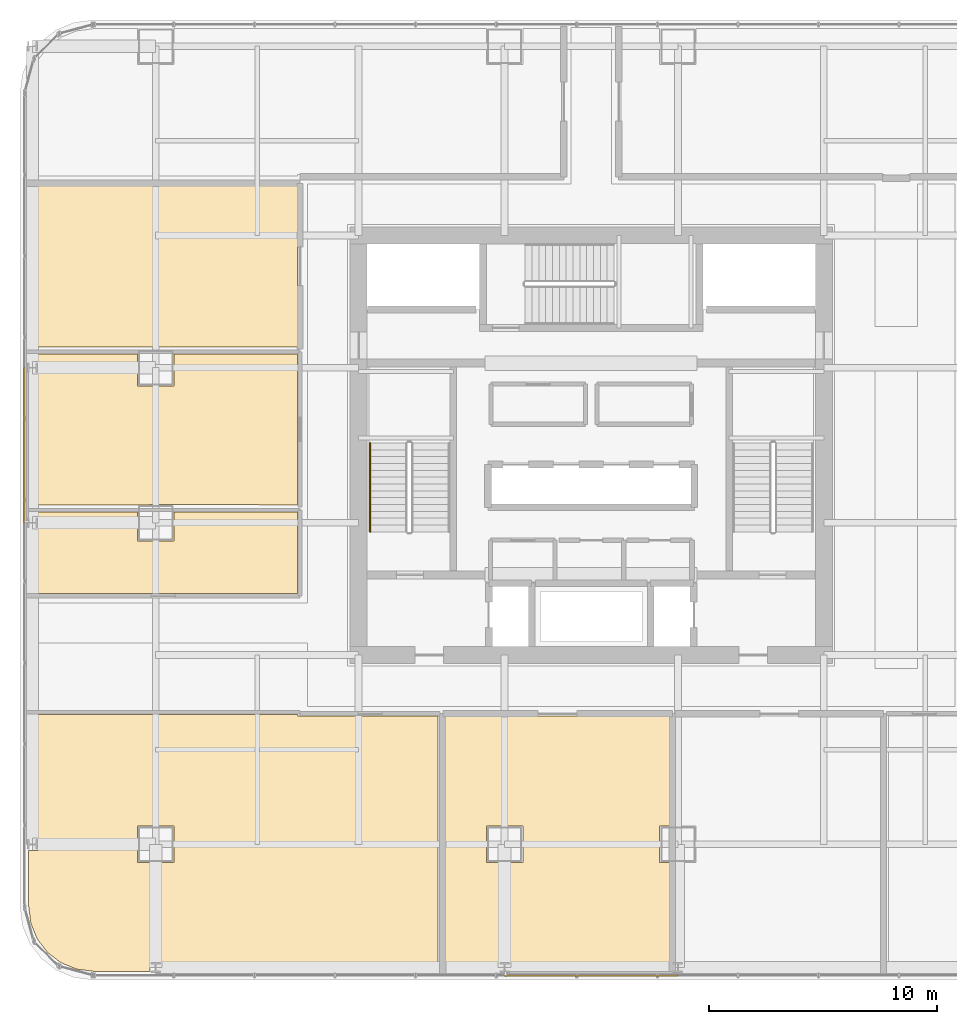
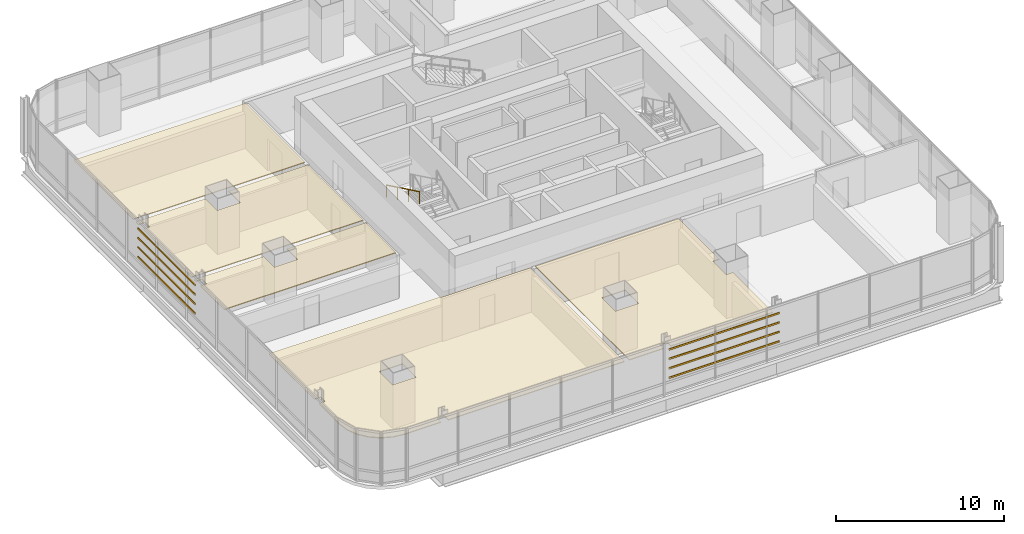
# One storey, part 32 of 36: 8 shading devices, 5 coverings, 1 railing.
"""IFC4 building model written with IfcOpenShell, lengths in metres."""

from ifc_helpers import new_model, si_unit, direction, frame, origin, origin_2d, place, context, subcontext, project, spatial, polyline, hollow_rectangle, circle, outline, extrude, material, layer, layer_set, material_profile, profile_set, type_object, element, save


model = new_model("IFC4")

# Units and contexts
model_context = context("Model", 3, precision=1e-05, world=origin(), true_north=direction((0.0, 1.0)))
body_context = subcontext(model_context, "Body", "Model", "MODEL_VIEW")
ifc_project = project(units=[si_unit("LENGTHUNIT", "METRE"), si_unit("AREAUNIT", "SQUARE_METRE"), si_unit("VOLUMEUNIT", "CUBIC_METRE"), si_unit("PLANEANGLEUNIT", "RADIAN"), si_unit("MASSUNIT", "GRAM", prefix="KILO")], contexts=[model_context])

# Site, building, storey
site_placement = place(None, origin())
site = spatial("IfcSite", under=ifc_project, at=site_placement, CompositionType="ELEMENT")
building_placement = place(site_placement, origin())
building = spatial("IfcBuilding", under=site, at=building_placement, Name="Punatoya Terracotta Tower", CompositionType="ELEMENT")
storey_placement = place(building_placement, frame((0.0, 0.0, 48.449951171875)))
storey = spatial("IfcBuildingStorey", under=building, at=storey_placement, Name="L10", CompositionType="ELEMENT", Elevation=48.449951171875)

# Coverings
ifc_material_1 = material(Name="Acoustic Mineral Fibre Ceiling")
ifc_layer = layer(ifc_material_1, 0.06005859375)
ifc_layer_set = layer_set([ifc_layer], Name="Acoustic Mineral Fibre Ceiling")
covering_type = type_object("IfcCoveringType", Name="COV-CEIL-60", PredefinedType="CEILING", material=ifc_layer_set)
covering_1_placement = place(storey_placement, frame((0.0, 0.0, 3.199951171875)))
element("IfcCovering", 1, at=covering_1_placement, inside=storey, type_object=covering_type, Name="L10 Open-Plan Client Dining Salon Acoustic Ceiling", PredefinedType="CEILING", context=body_context, shape_type="SweptSolid", body=[
    extrude(outline(polyline([(-4.05810546875, -22.626953125), (-3.5419921875, -22.626953125), (-3.5419921875, -23.070068359375), (3.458984375, -23.070068359375), (3.458984375, -18.300048828125), (3.0, -18.300048828125), (3.0, -16.699951171875), (3.458984375, -16.699951171875), (3.458984375, -11.8701171875), (-6.406982421875, -11.8701171875), (-6.406982421875, -23.070068359375), (-4.05810546875, -23.070068359375), (-4.05810546875, -22.626953125)]), holes=[polyline([(-4.60009765625, -16.699951171875), (-3.0, -16.699951171875), (-3.0, -18.300048828125), (-4.60009765625, -18.300048828125), (-4.60009765625, -16.699951171875)])]), origin(), (0.0, 0.0, 1.0), 0.06005859375),
])
covering_2_placement = place(storey_placement, frame((0.0, 0.0, 3.199951171875)))
element("IfcCovering", 2, at=covering_2_placement, inside=storey, type_object=covering_type, Name="L10 Catering Tea Pantry Acoustic Ceiling", PredefinedType="CEILING", context=body_context, shape_type="SweptSolid", body=[
    extrude(outline(polyline([(-18.842041015625, -23.070068359375), (-6.72705078125, -23.070068359375), (-6.72705078125, -11.8701171875), (-12.8701171875, -11.8701171875), (-12.8701171875, -11.81005859375), (-24.669921875, -11.81005859375), (-24.669921875, -17.22705078125), (-24.241943359375, -17.22705078125), (-24.241943359375, -17.77294921875), (-24.669921875, -17.77294921875), (-24.669921875, -20.22509765625), (-24.57080078125, -20.97900390625), (-24.289306640625, -21.658203125), (-23.841796875, -22.24169921875), (-23.25830078125, -22.689453125), (-22.5791015625, -22.970703125), (-21.8251953125, -23.070068359375), (-19.35791015625, -23.070068359375), (-19.35791015625, -22.626953125), (-18.842041015625, -22.626953125), (-18.842041015625, -23.070068359375)]), holes=[polyline([(-19.89990234375, -18.300048828125), (-19.89990234375, -16.699951171875), (-18.300048828125, -16.699951171875), (-18.300048828125, -18.300048828125), (-19.89990234375, -18.300048828125)])]), origin(), (0.0, 0.0, 1.0), 0.06005859375),
])
covering_3_placement = place(storey_placement, frame((0.0, 0.0, 3.199951171875)))
element("IfcCovering", 3, at=covering_3_placement, inside=storey, type_object=covering_type, Name="L10 Open-Plan Wellness Relaxation Lounge Acoustic Ceiling", PredefinedType="CEILING", context=body_context, shape_type="SweptSolid", body=[
    extrude(outline(polyline([(-12.8701171875, -6.5), (-12.8701171875, -2.931884765625), (-18.300048828125, -2.931884765625), (-18.300048828125, -4.199951171875), (-19.89990234375, -4.199951171875), (-19.89990234375, -2.931884765625), (-24.669921875, -2.931884765625), (-24.669921875, -3.126953125), (-24.241943359375, -3.126953125), (-24.241943359375, -3.673095703125), (-24.669921875, -3.673095703125), (-24.669921875, -6.5), (-12.8701171875, -6.5)])), origin(), (0.0, 0.0, 1.0), 0.06005859375),
])
covering_4_placement = place(storey_placement, frame((0.0, 0.0, 3.199951171875)))
element("IfcCovering", 4, at=covering_4_placement, inside=storey, type_object=covering_type, Name="L10 Open-Plan Barista Espresso Pantry Acoustic Ceiling", PredefinedType="CEILING", context=body_context, shape_type="SweptSolid", body=[
    extrude(outline(polyline([(-19.89990234375, -2.612060546875), (-18.300048828125, -2.60009765625), (-12.8701171875, -2.612060546875), (-12.8701171875, 3.998046875), (-18.300048828125, 3.998046875), (-18.300048828125, 2.60009765625), (-19.89990234375, 2.60009765625), (-19.89990234375, 3.998046875), (-24.669921875, 3.998046875), (-24.669921875, 3.673095703125), (-24.241943359375, 3.673095703125), (-24.241943359375, 3.126953125), (-24.669921875, 3.126953125), (-24.669921875, -2.612060546875), (-19.89990234375, -2.612060546875)])), origin(), (0.0, 0.0, 1.0), 0.06005859375),
])
covering_5_placement = place(storey_placement, frame((0.0, 0.0, 3.199951171875)))
element("IfcCovering", 5, at=covering_5_placement, inside=storey, type_object=covering_type, Name="L10 Terrace Refreshment Lounge Acoustic Ceiling", PredefinedType="CEILING", context=body_context, shape_type="SweptSolid", body=[
    extrude(outline(polyline([(-12.8701171875, 4.318115234375), (-12.8701171875, 11.389892578125), (-24.669921875, 11.389892578125), (-24.669921875, 4.318115234375), (-12.8701171875, 4.318115234375)])), origin(), (0.0, 0.0, 1.0), 0.06005859375),
])

# Railing
ifc_material_2 = material(Name="Steel S355", Category="steel")
railing_type = type_object("IfcRailingType", Name="RLG-HND-900", PredefinedType="HANDRAIL", material=ifc_material_2)
railing_placement = place(storey_placement, frame((-9.699951171875, 0.10009765625, 2.169677734375)))
element("IfcRailing", 6, at=railing_placement, inside=storey, type_object=railing_type, Name="L10 ST-1 stair handrail 2", PredefinedType="HANDRAIL", context=body_context, shape_type="SweptSolid", body=[
    extrude(circle(Radius=0.02392578125, at=origin_2d()), frame((0.0, 0.0, 0.8759765625), z_axis=(0.0, -0.900773802044, 0.434288564841), x_axis=(1.0, 0.0, 0.0)), (0.0, 0.0, 1.0), 4.329833984375),
    extrude(circle(Radius=0.02099609375, at=origin_2d()), origin(), (0.0, 0.0, 1.0), 0.851806640625),
    extrude(circle(Radius=0.02099609375, at=origin_2d()), frame((0.0, -1.300048828125, 0.626708984375)), (0.0, 0.0, 1.0), 0.851806640625),
    extrude(circle(Radius=0.02099609375, at=origin_2d()), frame((0.0, -2.60009765625, 1.253662109375)), (0.0, 0.0, 1.0), 0.851806640625),
    extrude(circle(Radius=0.02099609375, at=origin_2d()), frame((0.0, -3.900146484375, 1.88037109375)), (0.0, 0.0, 1.0), 0.851806640625),
])

# Shading devices
ifc_material_3 = material(Name="Architectural Fired Terracotta", Category="masonry")
ifc_material_profile = material_profile(ifc_material_3, hollow_rectangle(XDim=0.06494140625, YDim=0.1201171875, WallThickness=0.014892578125, at=origin_2d()))
ifc_profile_set = profile_set([ifc_material_profile], Name="Architectural Fired Terracotta")
shading_device_type = type_object("IfcShadingDeviceType", Name="SHD-BAG-120", PredefinedType="USERDEFINED", material=ifc_profile_set)
for number, where, z_axis, x_axis, name in (
    (7, (-3.800048828125, -23.262939453125, 1.150146484375), (1.0, 0.0, 0.0), (0.0, 1.0, 0.0), "L10 Fired Terracotta Baguette Louvre BAG-L10-S-01"),
    (8, (-3.800048828125, -23.262939453125, 1.836669921875), (1.0, 0.0, 0.0), (0.0, 1.0, 0.0), "L10 Fired Terracotta Baguette Louvre BAG-L10-S-02"),
    (9, (-3.800048828125, -23.262939453125, 2.5234375), (1.0, 0.0, 0.0), (0.0, 1.0, 0.0), "L10 Fired Terracotta Baguette Louvre BAG-L10-S-03"),
    (10, (-3.800048828125, -23.262939453125, 3.2099609375), (1.0, 0.0, 0.0), (0.0, 1.0, 0.0), "L10 Fired Terracotta Baguette Louvre BAG-L10-S-04"),
):
    element("IfcShadingDevice", number, at=place(storey_placement, frame(where, z_axis=z_axis, x_axis=x_axis)), inside=storey, type_object=shading_device_type, Name=name, ObjectType="BAGUETTE", PredefinedType="USERDEFINED", context=body_context, shape_type="SweptSolid", body=[
        extrude(hollow_rectangle(XDim=0.06494140625, YDim=0.1201171875, WallThickness=0.014892578125, at=origin_2d()), origin(), (0.0, 0.0, 1.0), 7.60009765625),
    ])
for number, where, z_axis, x_axis, name in (
    (11, (-24.863037109375, -3.39990234375, 1.150146484375), (0.0, 1.0, 0.0), (-1.0, 0.0, 0.0), "L10 Fired Terracotta Baguette Louvre BAG-L10-W-01"),
    (12, (-24.863037109375, -3.39990234375, 1.836669921875), (0.0, 1.0, 0.0), (-1.0, 0.0, 0.0), "L10 Fired Terracotta Baguette Louvre BAG-L10-W-02"),
    (13, (-24.863037109375, -3.39990234375, 2.5234375), (0.0, 1.0, 0.0), (-1.0, 0.0, 0.0), "L10 Fired Terracotta Baguette Louvre BAG-L10-W-03"),
    (14, (-24.863037109375, -3.39990234375, 3.2099609375), (0.0, 1.0, 0.0), (-1.0, 0.0, 0.0), "L10 Fired Terracotta Baguette Louvre BAG-L10-W-04"),
):
    element("IfcShadingDevice", number, at=place(storey_placement, frame(where, z_axis=z_axis, x_axis=x_axis)), inside=storey, type_object=shading_device_type, Name=name, ObjectType="BAGUETTE", PredefinedType="USERDEFINED", context=body_context, shape_type="SweptSolid", body=[
        extrude(hollow_rectangle(XDim=0.06494140625, YDim=0.1201171875, WallThickness=0.014892578125, at=origin_2d()), origin(), (0.0, 0.0, 1.0), 6.7998046875),
    ])

save(model, "model.ifc")
